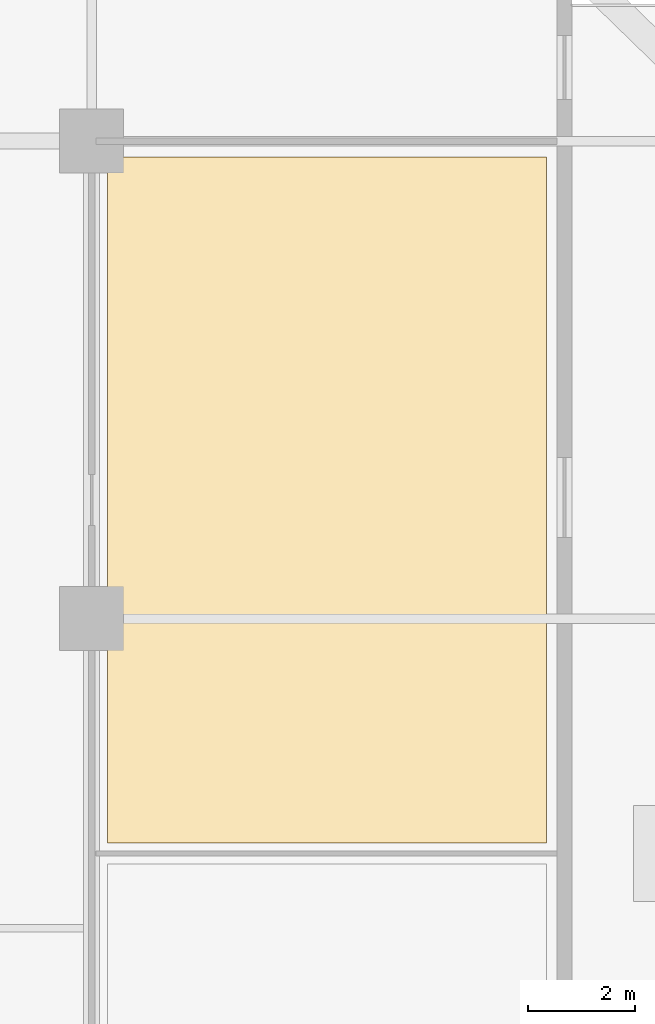
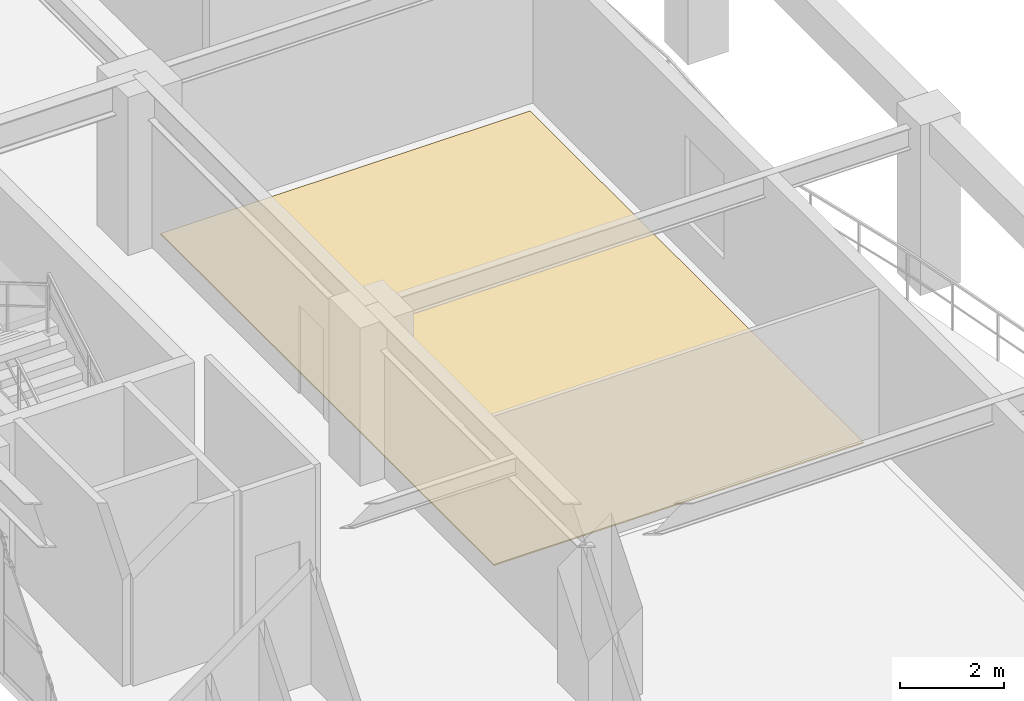
# One storey, part 16 of 17: 1 covering.
"""IFC4 building model written with IfcOpenShell, lengths in metres."""

from ifc_helpers import new_model, si_unit, direction, frame, origin, place, context, subcontext, project, spatial, polyline, outline, extrude, material, layer, layer_set, type_object, element, save


model = new_model("IFC4")

# Units and contexts
model_context = context("Model", 3, precision=1e-05, world=origin(), true_north=direction((0.0, 1.0)))
body_context = subcontext(model_context, "Body", "Model", "MODEL_VIEW")
ifc_project = project(units=[si_unit("LENGTHUNIT", "METRE"), si_unit("AREAUNIT", "SQUARE_METRE"), si_unit("VOLUMEUNIT", "CUBIC_METRE"), si_unit("PLANEANGLEUNIT", "RADIAN"), si_unit("MASSUNIT", "GRAM", prefix="KILO")], contexts=[model_context])

# Site, building, storey
site_placement = place(None, origin())
site = spatial("IfcSite", under=ifc_project, at=site_placement, CompositionType="ELEMENT")
building_placement = place(site_placement, origin())
building = spatial("IfcBuilding", under=site, at=building_placement, Name="Kundavana Baori Tower", CompositionType="ELEMENT")
storey_placement = place(building_placement, frame((0.0, 0.0, 30.0)))
storey = spatial("IfcBuildingStorey", under=building, at=storey_placement, Name="L06", CompositionType="ELEMENT", Elevation=30.0)

# Covering
ifc_material = material(Name="Honed Kota Stone and Terrazzo Flooring", Category="masonry")
ifc_layer = layer(ifc_material, 0.030029296875, Name="COV-INT-FLR")
ifc_layer_set = layer_set([ifc_layer], Name="Honed Kota Stone and Terrazzo Flooring")
covering_type = type_object("IfcCoveringType", Name="COV-INT-FLR", PredefinedType="FLOORING", material=ifc_layer_set)
covering_placement = place(storey_placement, origin())
element("IfcCovering", 1, at=covering_placement, inside=storey, type_object=covering_type, Name="L06 Room Finished Stone Flooring 4", PredefinedType="FLOORING", context=body_context, shape_type="SweptSolid", body=[
    extrude(outline(polyline([(43.10009765625, 28.800048828125), (51.320068359375, 28.800048828125), (51.320068359375, 41.64990234375), (43.10009765625, 41.64990234375), (43.10009765625, 28.800048828125)])), origin(), (0.0, 0.0, 1.0), 0.030029296875),
])

save(model, "model.ifc")
